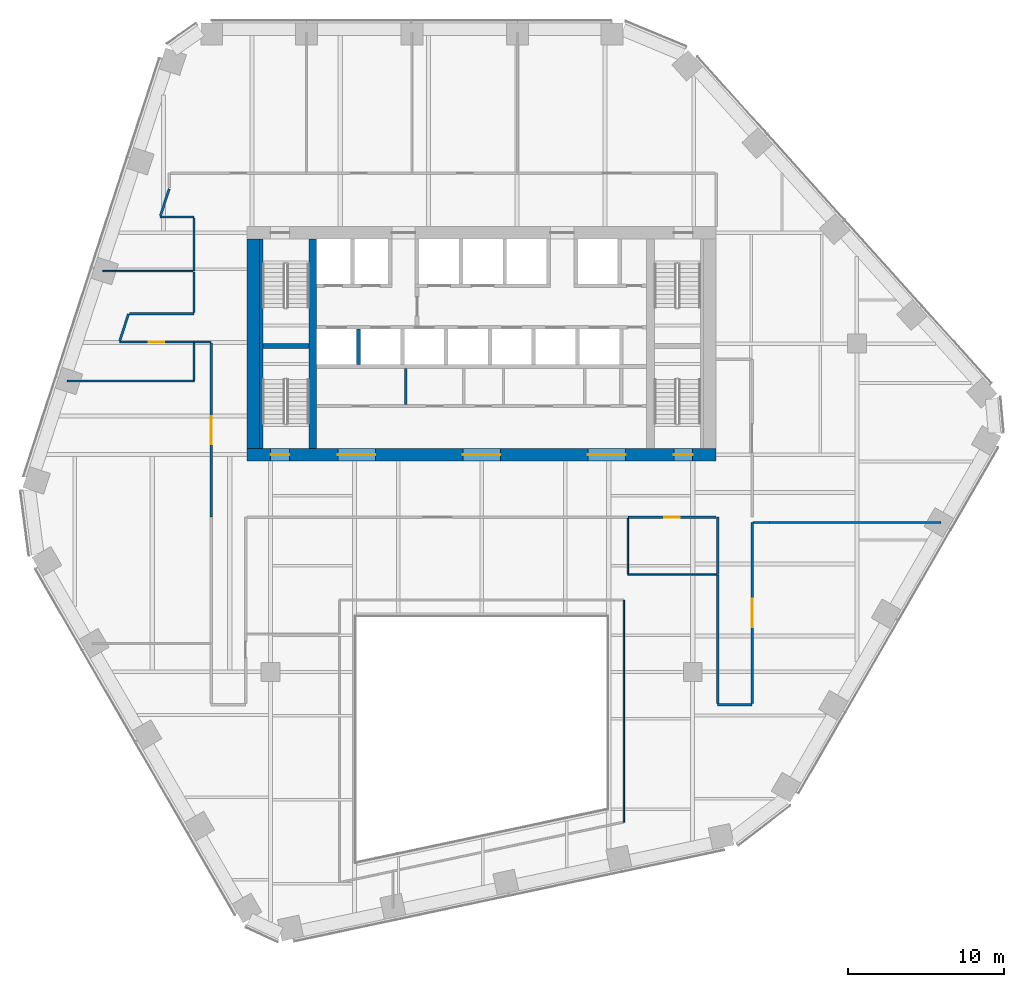
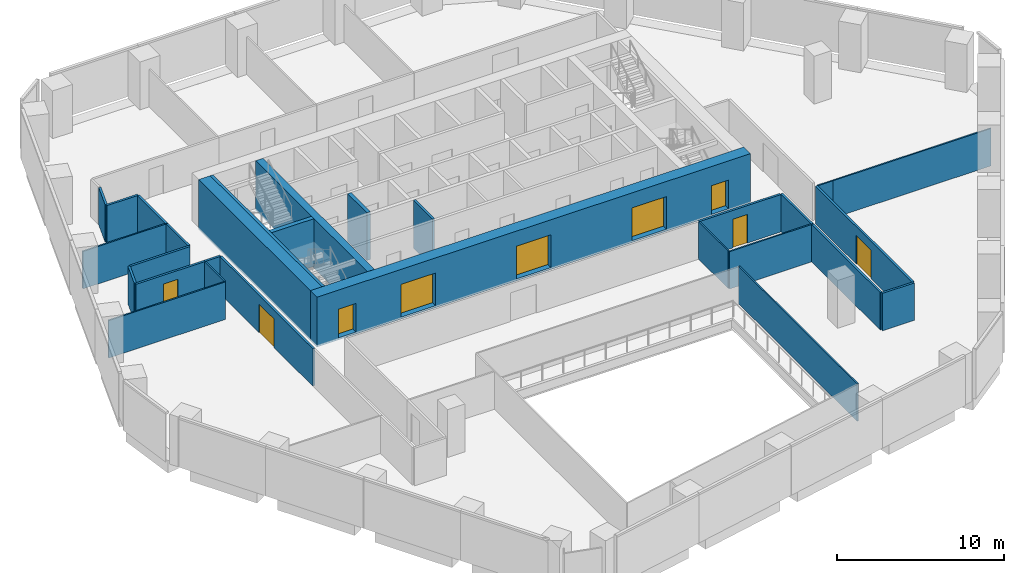
# One storey, part 11 of 16: 29 walls, 9 doors, 9 openings.
"""IFC4 building model written with IfcOpenShell, lengths in metres."""

import ifcopenshell
import ifcopenshell.guid

model = None  # the IFC model being written
_history = None  # IfcOwnerHistory: only IFC2X3 demands one
_inside = {}  # id of a spatial element -> (the spatial element, [elements in it])
_under = {}  # id of a project, library or spatial element -> (it, [spatial elements below it])
_declared = {}  # id of a project -> (the project, [libraries it declares])
_typed = {}  # id of a type object -> (the type object, [elements of that type])
_made_of = {}  # id of a material, layer set ... -> (it, [elements and type objects made of it])


def new_model(schema):
    """Start an empty IFC model of exactly this schema.

    Asked for "IFC4X3", IfcOpenShell would pick the latest addendum, in which some entities
    have other attributes; the version numbers below select the first issue.
    IFC2X3 requires an IfcOwnerHistory on every rooted entity: one is made here for all.
    """
    global model, _history
    if schema == "IFC4X3":
        model = ifcopenshell.file(schema_version=(4, 3, 0, 0))
    else:
        model = ifcopenshell.file(schema=schema)
    _inside.clear()
    _under.clear()
    _declared.clear()
    _typed.clear()
    _made_of.clear()
    _history = None
    if model.schema == "IFC2X3":
        org = make("IfcOrganization", Name="unknown")
        user = make(
            "IfcPersonAndOrganization",
            ThePerson=make("IfcPerson", FamilyName="unknown"),
            TheOrganization=org,
        )
        app = make(
            "IfcApplication",
            ApplicationDeveloper=org,
            Version="unknown",
            ApplicationFullName="unknown",
            ApplicationIdentifier="unknown",
        )
        _history = make(
            "IfcOwnerHistory",
            OwningUser=user,
            OwningApplication=app,
            ChangeAction="ADDED",
            CreationDate=0,
        )
    return model


def make(cls, **values):
    """One entity of the class cls with the attributes given. An attribute that is None is left unset."""
    return model.create_entity(
        cls, **{name: value for name, value in values.items() if value is not None}
    )


def rooted(cls, **values):
    """An entity with a GlobalId (a new one), such as an element, a storey or a relation."""
    return make(cls, GlobalId=ifcopenshell.guid.new(), OwnerHistory=_history, **values)


def si_unit(unit_type, name, prefix=None):
    """IfcSIUnit, for example si_unit("LENGTHUNIT", "METRE", prefix="MILLI")."""
    return make("IfcSIUnit", UnitType=unit_type, Prefix=prefix, Name=name)


def assignment(units):
    """IfcUnitAssignment: the units of a project."""
    return None if units is None else make("IfcUnitAssignment", Units=units)


def point(xyz):
    """IfcCartesianPoint."""
    return None if xyz is None else make("IfcCartesianPoint", Coordinates=xyz)


def direction(xyz):
    """IfcDirection."""
    return None if xyz is None else make("IfcDirection", DirectionRatios=xyz)


def frame(location, z_axis=None, x_axis=None):
    """IfcAxis2Placement3D, a coordinate frame: its origin and axes. An axis left out is left unset."""
    return make(
        "IfcAxis2Placement3D",
        Location=point(location),
        Axis=direction(z_axis),
        RefDirection=direction(x_axis),
    )


def frame_2d(location, x_axis=None):
    """IfcAxis2Placement2D, a coordinate frame in the plane: its origin and x axis."""
    return make(
        "IfcAxis2Placement2D", Location=point(location), RefDirection=direction(x_axis)
    )


def origin():
    """The frame at (0, 0, 0) with its axes left unset."""
    return frame((0.0, 0.0, 0.0))


def place(relative_to, where):
    """IfcLocalPlacement: puts the frame where relative to a parent placement (None: the world)."""
    return make(
        "IfcLocalPlacement", PlacementRelTo=relative_to, RelativePlacement=where
    )


def context(
    kind, dimensions, precision=None, world=None, true_north=None, identifier=None
):
    """IfcGeometricRepresentationContext, for example the 3D "Model" context."""
    return make(
        "IfcGeometricRepresentationContext",
        ContextIdentifier=identifier,
        ContextType=kind,
        CoordinateSpaceDimension=dimensions,
        Precision=precision,
        WorldCoordinateSystem=world,
        TrueNorth=true_north,
    )


def subcontext(parent, identifier, kind, view, scale=None):
    """IfcGeometricRepresentationSubContext, for example "Body" below "Model"."""
    return make(
        "IfcGeometricRepresentationSubContext",
        ContextIdentifier=identifier,
        ContextType=kind,
        ParentContext=parent,
        TargetScale=scale,
        TargetView=view,
    )


def project(units=None, contexts=None):
    """IfcProject with its units and contexts."""
    return rooted(
        "IfcProject",
        Name="project",
        RepresentationContexts=contexts,
        UnitsInContext=assignment(units),
    )


def spatial(cls, under=None, at=None, **own):
    """A site, building, storey or space (cls), placed at a placement, below another one or the project."""
    s = rooted(cls, ObjectPlacement=at, **own)
    if under is not None:
        _under.setdefault(under.id(), (under, []))[1].append(s)
    return s


def profile(cls, at=None, kind="AREA", **sizes):
    """A parametric profile (cls). Its sizes go by their IFC names, for example OverallWidth=200.0."""
    return make(cls, ProfileType=kind, Position=at, **sizes)


def rectangle(**sizes):
    """IfcRectangleProfileDef."""
    return profile("IfcRectangleProfileDef", **sizes)


def extrude(swept, where, along, depth):
    """IfcExtrudedAreaSolid: the profile swept, set in the frame where, extruded along a direction by depth."""
    return make(
        "IfcExtrudedAreaSolid",
        SweptArea=swept,
        Position=where,
        ExtrudedDirection=direction(along),
        Depth=depth,
    )


def shape(context_of_items, identifier, shape_type, items):
    """IfcShapeRepresentation: the items that make up one representation, for example the "Body"."""
    return make(
        "IfcShapeRepresentation",
        ContextOfItems=context_of_items,
        RepresentationIdentifier=identifier,
        RepresentationType=shape_type,
        Items=items,
    )


def material(Name=None, Category=None):
    """IfcMaterial."""
    return make("IfcMaterial", Name=Name, Category=Category)


def layer(
    of_material, thickness, ventilated=None, Name=None, Category=None, Priority=None
):
    """IfcMaterialLayer: one layer of a wall or slab, of a material (None: an air gap)."""
    return make(
        "IfcMaterialLayer",
        Material=of_material,
        LayerThickness=thickness,
        IsVentilated=ventilated,
        Name=Name,
        Category=Category,
        Priority=Priority,
    )


def layer_set(layers, Name=None):
    """IfcMaterialLayerSet."""
    return make("IfcMaterialLayerSet", MaterialLayers=layers, LayerSetName=Name)


def made_of(thing, what):
    """Note that an element or type object is made of a material, layer set ...; save() writes the relation."""
    if what is not None:
        _made_of.setdefault(what.id(), (what, []))[1].append(thing)
    return thing


def type_object(cls, material=None, **own):
    """A type object (cls), such as IfcWallType, which elements share."""
    return made_of(rooted(cls, **own), material)


def element(
    cls,
    number,
    at=None,
    inside=None,
    cuts=None,
    type_object=None,
    material=None,
    context=None,
    identifier="Body",
    shape_type=None,
    held_by="IfcProductDefinitionShape",
    body=None,
    shapes=None,
    **own,
):
    """One element of the class cls, such as IfcWall. Its Tag is "e" and its number.

    at: its placement. inside: the storey or other place that contains it. cuts: it is an
    opening in that element (IfcRelVoidsElement). A single representation is given by context,
    identifier, shape_type and body (its items); several are given by shapes. held_by: the class
    of the entity that holds the representations. save() writes the other relations.
    """
    e = rooted(cls, Tag="e%d" % number, ObjectPlacement=at, **own)
    if body is not None:
        shapes = [shape(context, identifier, shape_type, body)]
    if shapes is not None:
        e.Representation = make(held_by, Representations=shapes)
    if inside is not None:
        _inside.setdefault(inside.id(), (inside, []))[1].append(e)
    if cuts is not None:
        rooted(
            "IfcRelVoidsElement", RelatingBuildingElement=cuts, RelatedOpeningElement=e
        )
    if type_object is not None:
        _typed.setdefault(type_object.id(), (type_object, []))[1].append(e)
    return made_of(e, material)


def fill(opening, filler):
    """IfcRelFillsElement: the door or window that sits in an opening."""
    return rooted(
        "IfcRelFillsElement",
        RelatingOpeningElement=opening,
        RelatedBuildingElement=filler,
    )


def aggregate(whole, parts):
    """IfcRelAggregates: a whole, such as a stair, and the parts it consists of."""
    return rooted("IfcRelAggregates", RelatingObject=whole, RelatedObjects=parts)


def save(model, path):
    """Write the relations noted so far, then the file.

    IfcRelAggregates (storeys below a building ...), IfcRelContainedInSpatialStructure (elements
    in a storey), IfcRelDefinesByType, IfcRelAssociatesMaterial and IfcRelDeclares: one each for
    every whole, place, type object, material and project.
    """
    for whole, parts in _under.values():
        aggregate(whole, parts)
    for where, things in _inside.values():
        rooted(
            "IfcRelContainedInSpatialStructure",
            RelatedElements=things,
            RelatingStructure=where,
        )
    for kind, things in _typed.values():
        rooted("IfcRelDefinesByType", RelatedObjects=things, RelatingType=kind)
    for what, things in _made_of.values():
        rooted("IfcRelAssociatesMaterial", RelatedObjects=things, RelatingMaterial=what)
    for by, libraries in _declared.values():
        rooted("IfcRelDeclares", RelatingContext=by, RelatedDefinitions=libraries)
    model.write(path)


model = new_model("IFC4")

# Units and contexts
model_context = context("Model", 3, precision=1e-05, world=origin(), true_north=direction((0.0, 1.0)))
body_context = subcontext(model_context, "Body", "Model", "MODEL_VIEW")
ifc_project = project(units=[si_unit("LENGTHUNIT", "METRE"), si_unit("AREAUNIT", "SQUARE_METRE"), si_unit("VOLUMEUNIT", "CUBIC_METRE"), si_unit("PLANEANGLEUNIT", "RADIAN"), si_unit("MASSUNIT", "GRAM", prefix="KILO")], contexts=[model_context])

# Site, building, storey
site_placement = place(None, origin())
site = spatial("IfcSite", under=ifc_project, at=site_placement, CompositionType="ELEMENT")
building_placement = place(site_placement, origin())
building = spatial("IfcBuilding", under=site, at=building_placement, Name="Isthmus Gate Tower", CompositionType="ELEMENT")
storey_placement = place(building_placement, frame((0.0, 0.0, 148.050048828125)))
storey = spatial("IfcBuildingStorey", under=building, at=storey_placement, Name="L36", CompositionType="ELEMENT", Elevation=148.050048828125)

# Wall
ifc_material_1 = material(Name="Fire-rated laminated glass in steel frame", Category="steel")
ifc_layer_1 = layer(ifc_material_1, 0.10009765625)
ifc_layer_set_1 = layer_set([ifc_layer_1], Name="ATRIUM SCREEN GLAZED WALL 100 120 MIN")
wall_type_1 = type_object("IfcWallType", Name="ATRIUM SCREEN GLAZED WALL 100 120 MIN", PredefinedType="PARTITIONING", material=ifc_layer_set_1)
wall_1_placement = place(storey_placement, frame((9.10009765625, -8.89990234375, 0.0), z_axis=(0.0, 0.0, 1.0), x_axis=(0.0, -1.0, 0.0)))
element("IfcWall", 1, at=wall_1_placement, inside=storey, type_object=wall_type_1, Name="L36 atrium screen", PredefinedType="PARTITIONING", context=body_context, shape_type="SweptSolid", body=[
    extrude(rectangle(XDim=14.200927734375, YDim=0.10009765625, at=frame_2d((7.1005859375, 0.0))), origin(), (0.0, 0.0, 1.0), 2.7412109375),
])

# Wall, opening, door
ifc_material_2 = material(Name="Gypsum board on steel studs, fire-rated", Category="steel")
ifc_layer_2 = layer(ifc_material_2, 0.14990234375)
ifc_layer_set_2 = layer_set([ifc_layer_2], Name="CORRIDOR WALL 150 60 MIN")
wall_type_2 = type_object("IfcWallType", Name="CORRIDOR WALL 150 60 MIN", PredefinedType="PARTITIONING", material=ifc_layer_set_2)
wall_2_placement = place(storey_placement, frame((15.0, -3.60009765625, 0.0), z_axis=(0.0, 0.0, 1.0), x_axis=(-1.0, 0.0, 0.0)))
wall_2 = element("IfcWall", 2, at=wall_2_placement, inside=storey, type_object=wall_type_2, Name="L36 Corridor Wall 150 60 Min", PredefinedType="PARTITIONING", context=body_context, shape_type="SweptSolid", body=[
    extrude(rectangle(XDim=5.64990234375, YDim=0.14990234375, at=frame_2d((2.824951171875, 0.0))), origin(), (0.0, 0.0, 1.0), 2.7412109375),
])
opening_1_placement = place(wall_2_placement, frame((2.324951171875, 0.0, 0.0)))
opening_1 = element("IfcOpeningElement", 3, at=opening_1_placement, cuts=wall_2, Name="Opening DT-T3C-08", PredefinedType="OPENING", context=body_context, shape_type="SweptSolid", body=[
    extrude(rectangle(XDim=1.0, YDim=2.10009765625, at=frame_2d((0.5, 1.050048828125))), frame((0.0, 0.0849609375, 0.0), z_axis=(0.0, -1.0, 0.0), x_axis=(1.0, 0.0, 0.0)), (0.0, 0.0, 1.0), 0.169921875),
])
ifc_material_3 = material(Name="Solid core timber door leaf, fire-rated", Category="wood")
door_type_1 = type_object("IfcDoorType", Name="FIRE DOOR ROOM 1000 X 2100 60 MIN", OperationType="SINGLE_SWING_LEFT", PredefinedType="DOOR", material=ifc_material_3)
door_1_placement = place(opening_1_placement, origin())
door_1 = element("IfcDoor", 4, at=door_1_placement, inside=storey, type_object=door_type_1, Name="L36 room door", OperationType="SINGLE_SWING_RIGHT", OverallHeight=2.10009765625, OverallWidth=1.0, PredefinedType="DOOR", context=body_context, shape_type="SweptSolid", body=[
    extrude(rectangle(XDim=1.0, YDim=2.10009765625, at=frame_2d((0.5, 1.050048828125))), frame((0.0, 0.02490234375, 0.0), z_axis=(0.0, -1.0, 0.0), x_axis=(1.0, 0.0, 0.0)), (0.0, 0.0, 1.0), 0.050048828125),
])
fill(opening_1, door_1)

# Wall
wall_3_placement = place(storey_placement, frame((-18.39990234375, 15.60009765625, 0.0), z_axis=(0.0, 0.0, 1.0), x_axis=(-1.0, 0.0, 0.0)))
element("IfcWall", 5, at=wall_3_placement, inside=storey, type_object=wall_type_2, Name="L36 Corridor Wall 150 60 Min", PredefinedType="PARTITIONING", context=body_context, shape_type="SweptSolid", body=[
    extrude(rectangle(XDim=2.174072265625, YDim=0.14990234375, at=frame_2d((1.0869140625, 0.0))), origin(), (0.0, 0.0, 1.0), 2.7412109375),
])

# Wall, opening, door
wall_4_placement = place(storey_placement, frame((-23.174072265625, 7.60009765625, 0.0), z_axis=(0.0, 0.0, 1.0), x_axis=(1.0, 0.0, 0.0)))
wall_4 = element("IfcWall", 6, at=wall_4_placement, inside=storey, type_object=wall_type_2, Name="L36 Corridor Wall 150 60 Min", PredefinedType="PARTITIONING", context=body_context, shape_type="SweptSolid", body=[
    extrude(rectangle(XDim=4.77197265625, YDim=0.14990234375, at=frame_2d((2.385986328125, 0.0))), origin(), (0.0, 0.0, 1.0), 2.7412109375),
])
opening_2_placement = place(wall_4_placement, frame((1.885986328125, 0.0, 0.0)))
opening_2 = element("IfcOpeningElement", 7, at=opening_2_placement, cuts=wall_4, Name="Opening DT-T3C-06", PredefinedType="OPENING", context=body_context, shape_type="SweptSolid", body=[
    extrude(rectangle(XDim=1.0, YDim=2.10009765625, at=frame_2d((0.5, 1.050048828125))), frame((0.0, 0.0849609375, 0.0), z_axis=(0.0, -1.0, 0.0), x_axis=(1.0, 0.0, 0.0)), (0.0, 0.0, 1.0), 0.169921875),
])
door_2_placement = place(opening_2_placement, origin())
door_2 = element("IfcDoor", 8, at=door_2_placement, inside=storey, type_object=door_type_1, Name="L36 room door", OperationType="SINGLE_SWING_RIGHT", OverallHeight=2.10009765625, OverallWidth=1.0, PredefinedType="DOOR", context=body_context, shape_type="SweptSolid", body=[
    extrude(rectangle(XDim=1.0, YDim=2.10009765625, at=frame_2d((0.5, 1.050048828125))), frame((0.0, 0.02490234375, 0.0), z_axis=(0.0, -1.0, 0.0), x_axis=(1.0, 0.0, 0.0)), (0.0, 0.0, 1.0), 0.050048828125),
])
fill(opening_2, door_2)

# Walls
wall_5_placement = place(storey_placement, frame((-17.298095703125, 7.60205078125, 0.0), z_axis=(0.0, 0.0, 1.0), x_axis=(-1.0, 0.0, 0.0)))
element("IfcWall", 9, at=wall_5_placement, inside=storey, type_object=wall_type_2, Name="L36 Corridor Wall 150 60 Min", PredefinedType="PARTITIONING", context=body_context, shape_type="SweptSolid", body=[
    extrude(rectangle(XDim=1.10400390625, YDim=0.14990234375, at=frame_2d((0.552001953125, 0.0))), origin(), (0.0, 0.0, 1.0), 2.7412109375),
])
wall_6_placement = place(storey_placement, frame((17.300048828125, -15.60009765625, 0.0), z_axis=(0.0, 0.0, 1.0), x_axis=(-1.0, 0.0, 0.0)))
element("IfcWall", 10, at=wall_6_placement, inside=storey, type_object=wall_type_2, Name="L36 Corridor Wall 150 60 Min", PredefinedType="PARTITIONING", context=body_context, shape_type="SweptSolid", body=[
    extrude(rectangle(XDim=2.199951171875, YDim=0.14990234375, at=frame_2d((1.10009765625, 0.0))), origin(), (0.0, 0.0, 1.0), 2.7412109375),
])

# Wall, opening, door
wall_7_placement = place(storey_placement, frame((17.300048828125, -3.93994140625, 0.0), z_axis=(0.0, 0.0, 1.0), x_axis=(0.0, -1.0, 0.0)))
wall_7 = element("IfcWall", 11, at=wall_7_placement, inside=storey, type_object=wall_type_2, Name="L36 Corridor Wall 150 60 Min", PredefinedType="PARTITIONING", context=body_context, shape_type="SweptSolid", body=[
    extrude(rectangle(XDim=11.5849609375, YDim=0.14990234375, at=frame_2d((5.79248046875, 0.0))), origin(), (0.0, 0.0, 1.0), 2.7412109375),
])
opening_3_placement = place(wall_7_placement, frame((4.892578125, 0.0, 0.0)))
opening_3 = element("IfcOpeningElement", 12, at=opening_3_placement, cuts=wall_7, Name="Opening DT-T3C-10", PredefinedType="OPENING", context=body_context, shape_type="SweptSolid", body=[
    extrude(rectangle(XDim=1.800048828125, YDim=2.10009765625, at=frame_2d((0.89990234375, 1.050048828125))), frame((0.0, 0.0849609375, 0.0), z_axis=(0.0, -1.0, 0.0), x_axis=(1.0, 0.0, 0.0)), (0.0, 0.0, 1.0), 0.169921875),
])
ifc_material_4 = material(Name="Solid core timber door leaf, fire-rated", Category="wood")
door_type_2 = type_object("IfcDoorType", Name="FIRE DOOR ROOM 1800 X 2100 60 MIN", OperationType="DOUBLE_DOOR_DOUBLE_SWING", PredefinedType="DOOR", material=ifc_material_4)
door_3_placement = place(opening_3_placement, origin())
door_3 = element("IfcDoor", 13, at=door_3_placement, inside=storey, type_object=door_type_2, Name="L36 room door", OperationType="DOUBLE_DOOR_DOUBLE_SWING", OverallHeight=2.10009765625, OverallWidth=1.800048828125, PredefinedType="DOOR", context=body_context, shape_type="SweptSolid", body=[
    extrude(rectangle(XDim=1.800048828125, YDim=2.10009765625, at=frame_2d((0.89990234375, 1.050048828125))), frame((0.0, 0.02490234375, 0.0), z_axis=(0.0, -1.0, 0.0), x_axis=(1.0, 0.0, 0.0)), (0.0, 0.0, 1.0), 0.050048828125),
])
fill(opening_3, door_3)

# Walls
wall_8_placement = place(storey_placement, frame((-20.55078125, 15.67138671875, 0.0), z_axis=(0.0, 0.0, 1.0), x_axis=(0.30859997516, 0.951191912987, 0.0)))
element("IfcWall", 14, at=wall_8_placement, inside=storey, type_object=wall_type_2, Name="L36 Corridor Wall 150 60 Min", PredefinedType="PARTITIONING", context=body_context, shape_type="SweptSolid", body=[
    extrude(rectangle(XDim=1.817138671875, YDim=0.14990234375, at=frame_2d((0.90869140625, 0.0))), origin(), (0.0, 0.0, 1.0), 2.7412109375),
])
wall_9_placement = place(storey_placement, frame((-18.39990234375, 12.14111328125, 0.0), z_axis=(0.0, 0.0, 1.0), x_axis=(0.0, 1.0, 0.0)))
element("IfcWall", 15, at=wall_9_placement, inside=storey, type_object=wall_type_2, Name="L36 Corridor Wall 150 60 Min", PredefinedType="PARTITIONING", context=body_context, shape_type="SweptSolid", body=[
    extrude(rectangle(XDim=3.3837890625, YDim=0.14990234375, at=frame_2d((1.69189453125, 0.0))), origin(), (0.0, 0.0, 1.0), 2.7412109375),
])
wall_10_placement = place(storey_placement, frame((-23.15087890625, 7.67138671875, 0.0), z_axis=(0.0, 0.0, 1.0), x_axis=(0.309086072338, 0.951034068731, 0.0)))
element("IfcWall", 16, at=wall_10_placement, inside=storey, type_object=wall_type_2, Name="L36 Corridor Wall 150 60 Min", PredefinedType="PARTITIONING", context=body_context, shape_type="SweptSolid", body=[
    extrude(rectangle(XDim=1.817626953125, YDim=0.14990234375, at=frame_2d((0.90869140625, 0.0))), origin(), (0.0, 0.0, 1.0), 2.7412109375),
])
wall_11_placement = place(storey_placement, frame((-22.513916015625, 9.39990234375, 0.0), z_axis=(0.0, 0.0, 1.0), x_axis=(1.0, 0.0, 0.0)))
element("IfcWall", 17, at=wall_11_placement, inside=storey, type_object=wall_type_2, Name="L36 Corridor Wall 150 60 Min", PredefinedType="PARTITIONING", context=body_context, shape_type="SweptSolid", body=[
    extrude(rectangle(XDim=4.114013671875, YDim=0.14990234375, at=frame_2d((2.05712890625, 0.0))), origin(), (0.0, 0.0, 1.0), 2.7412109375),
])
wall_12_placement = place(storey_placement, frame((-18.39990234375, 9.47509765625, 0.0), z_axis=(0.0, 0.0, 1.0), x_axis=(0.0, 1.0, 0.0)))
element("IfcWall", 18, at=wall_12_placement, inside=storey, type_object=wall_type_2, Name="L36 Corridor Wall 150 60 Min", PredefinedType="PARTITIONING", context=body_context, shape_type="SweptSolid", body=[
    extrude(rectangle(XDim=2.615966796875, YDim=0.14990234375, at=frame_2d((1.30810546875, 0.0))), origin(), (0.0, 0.0, 1.0), 2.7412109375),
])

# Wall, opening, door
wall_13_placement = place(storey_placement, frame((-17.298095703125, -3.60205078125, 0.0), z_axis=(0.0, 0.0, 1.0), x_axis=(0.0, 1.0, 0.0)))
wall_13 = element("IfcWall", 19, at=wall_13_placement, inside=storey, type_object=wall_type_2, Name="L36 Corridor Wall 150 60 Min", PredefinedType="PARTITIONING", context=body_context, shape_type="SweptSolid", body=[
    extrude(rectangle(XDim=11.129150390625, YDim=0.14990234375, at=frame_2d((5.564453125, 0.0))), origin(), (0.0, 0.0, 1.0), 2.7412109375),
])
opening_4_placement = place(wall_13_placement, frame((4.66455078125, 0.0, 0.0)))
opening_4 = element("IfcOpeningElement", 20, at=opening_4_placement, cuts=wall_13, Name="Opening DT-T3C-07", PredefinedType="OPENING", context=body_context, shape_type="SweptSolid", body=[
    extrude(rectangle(XDim=1.800048828125, YDim=2.10009765625, at=frame_2d((0.89990234375, 1.050048828125))), frame((0.0, 0.0849609375, 0.0), z_axis=(0.0, -1.0, 0.0), x_axis=(1.0, 0.0, 0.0)), (0.0, 0.0, 1.0), 0.169921875),
])
door_4_placement = place(opening_4_placement, origin())
door_4 = element("IfcDoor", 21, at=door_4_placement, inside=storey, type_object=door_type_2, Name="L36 room door", OperationType="DOUBLE_DOOR_DOUBLE_SWING", OverallHeight=2.10009765625, OverallWidth=1.800048828125, PredefinedType="DOOR", context=body_context, shape_type="SweptSolid", body=[
    extrude(rectangle(XDim=1.800048828125, YDim=2.10009765625, at=frame_2d((0.89990234375, 1.050048828125))), frame((0.0, 0.02490234375, 0.0), z_axis=(0.0, -1.0, 0.0), x_axis=(1.0, 0.0, 0.0)), (0.0, 0.0, 1.0), 0.050048828125),
])
fill(opening_4, door_4)

# Walls
wall_14_placement = place(storey_placement, frame((15.10009765625, -7.257080078125, 0.0), z_axis=(0.0, 0.0, 1.0), x_axis=(0.0, 1.0, 0.0)))
element("IfcWall", 22, at=wall_14_placement, inside=storey, type_object=wall_type_2, Name="L36 Corridor Wall 150 60 Min", PredefinedType="PARTITIONING", context=body_context, shape_type="SweptSolid", body=[
    extrude(rectangle(XDim=3.656982421875, YDim=0.14990234375, at=frame_2d((1.82861328125, 0.0))), origin(), (0.0, 0.0, 1.0), 2.7412109375),
])
wall_15_placement = place(storey_placement, frame((15.10009765625, -15.52490234375, 0.0), z_axis=(0.0, 0.0, 1.0), x_axis=(0.0, 1.0, 0.0)))
element("IfcWall", 23, at=wall_15_placement, inside=storey, type_object=wall_type_2, Name="L36 Corridor Wall 150 60 Min", PredefinedType="PARTITIONING", context=body_context, shape_type="SweptSolid", body=[
    extrude(rectangle(XDim=8.218017578125, YDim=0.14990234375, at=frame_2d((4.10888671875, 0.0))), origin(), (0.0, 0.0, 1.0), 2.7412109375),
])
ifc_material_5 = material(Name="Concrete f'c 60 MPa", Category="concrete")
ifc_layer_3 = layer(ifc_material_5, 0.5)
ifc_layer_set_3 = layer_set([ifc_layer_3], Name="RC CORE SPINE WALL 500 F'C 60")
wall_type_3 = type_object("IfcWallType", Name="RC CORE SPINE WALL 500 F'C 60", PredefinedType="SOLIDWALL", material=ifc_layer_set_3)
wall_16_placement = place(storey_placement, frame((-10.800048828125, 0.800048828125, -0.150146484375), z_axis=(0.0, 0.0, 1.0), x_axis=(0.0, 1.0, 0.0)))
element("IfcWall", 24, at=wall_16_placement, inside=storey, type_object=wall_type_3, Name="str-corewall-L36-SPW", PredefinedType="SOLIDWALL", context=body_context, shape_type="SweptSolid", body=[
    extrude(rectangle(XDim=13.39990234375, YDim=0.5, at=frame_2d((6.699951171875, 0.0))), origin(), (0.0, 0.0, 1.0), 3.650146484375),
])

# Wall, openings, doors
ifc_material_6 = material(Name="Concrete f'c 60 MPa", Category="concrete")
ifc_layer_4 = layer(ifc_material_6, 0.800048828125)
ifc_layer_set_4 = layer_set([ifc_layer_4], Name="RC CORE WALL 800 F'C 60")
wall_type_4 = type_object("IfcWallType", Name="RC CORE WALL 800 F'C 60", PredefinedType="SOLIDWALL", material=ifc_layer_set_4)
wall_17_placement = place(storey_placement, frame((-15.0, 0.39990234375, -0.150146484375), z_axis=(0.0, 0.0, 1.0), x_axis=(1.0, 0.0, 0.0)))
wall_17 = element("IfcWall", 25, at=wall_17_placement, inside=storey, type_object=wall_type_4, Name="str-corewall-L36-S", PredefinedType="SOLIDWALL", context=body_context, shape_type="SweptSolid", body=[
    extrude(rectangle(XDim=30.0, YDim=0.800048828125, at=frame_2d((15.0, 0.0))), origin(), (0.0, 0.0, 1.0), 3.650146484375),
])
opening_5_placement = place(wall_17_placement, frame((5.800048828125, 0.0, 0.14990234375)))
opening_5 = element("IfcOpeningElement", 26, at=opening_5_placement, cuts=wall_17, Name="Opening DC-A11-10", PredefinedType="OPENING", context=body_context, shape_type="SweptSolid", body=[
    extrude(rectangle(XDim=2.39990234375, YDim=2.39990234375, at=frame_2d((1.199951171875, 1.199951171875))), frame((0.0, 0.409912109375, 0.0), z_axis=(0.0, -1.0, 0.0), x_axis=(1.0, 0.0, 0.0)), (0.0, 0.0, 1.0), 0.820068359375),
])
opening_6_placement = place(wall_17_placement, frame((13.800048828125, 0.0, 0.14990234375)))
opening_6 = element("IfcOpeningElement", 27, at=opening_6_placement, cuts=wall_17, Name="Opening DC-A11-11", PredefinedType="OPENING", context=body_context, shape_type="SweptSolid", body=[
    extrude(rectangle(XDim=2.39990234375, YDim=2.39990234375, at=frame_2d((1.199951171875, 1.199951171875))), frame((0.0, 0.409912109375, 0.0), z_axis=(0.0, -1.0, 0.0), x_axis=(1.0, 0.0, 0.0)), (0.0, 0.0, 1.0), 0.820068359375),
])
opening_7_placement = place(wall_17_placement, frame((21.800048828125, 0.0, 0.14990234375)))
opening_7 = element("IfcOpeningElement", 28, at=opening_7_placement, cuts=wall_17, Name="Opening DC-A11-12", PredefinedType="OPENING", context=body_context, shape_type="SweptSolid", body=[
    extrude(rectangle(XDim=2.39990234375, YDim=2.39990234375, at=frame_2d((1.199951171875, 1.199951171875))), frame((0.0, 0.409912109375, 0.0), z_axis=(0.0, -1.0, 0.0), x_axis=(1.0, 0.0, 0.0)), (0.0, 0.0, 1.0), 0.820068359375),
])
opening_8_placement = place(wall_17_placement, frame((1.5, 0.0, 0.14990234375)))
opening_8 = element("IfcOpeningElement", 29, at=opening_8_placement, cuts=wall_17, Name="Opening DC-A11-17", PredefinedType="OPENING", context=body_context, shape_type="SweptSolid", body=[
    extrude(rectangle(XDim=1.199951171875, YDim=2.10009765625, at=frame_2d((0.60009765625, 1.050048828125))), frame((0.0, 0.409912109375, 0.0), z_axis=(0.0, -1.0, 0.0), x_axis=(1.0, 0.0, 0.0)), (0.0, 0.0, 1.0), 0.820068359375),
])
opening_9_placement = place(wall_17_placement, frame((27.300048828125, 0.0, 0.14990234375)))
opening_9 = element("IfcOpeningElement", 30, at=opening_9_placement, cuts=wall_17, Name="Opening DC-A11-18", PredefinedType="OPENING", context=body_context, shape_type="SweptSolid", body=[
    extrude(rectangle(XDim=1.199951171875, YDim=2.10009765625, at=frame_2d((0.60009765625, 1.050048828125))), frame((0.0, 0.409912109375, 0.0), z_axis=(0.0, -1.0, 0.0), x_axis=(1.0, 0.0, 0.0)), (0.0, 0.0, 1.0), 0.820068359375),
])
ifc_material_7 = material(Name="Laminated safety glass in steel frame, fire-rated", Category="steel")
door_type_3 = type_object("IfcDoorType", Name="LOBBY ENTRANCE FIRE DOOR 2400 X 2400 60 MIN", OperationType="DOUBLE_DOOR_DOUBLE_SWING", PredefinedType="DOOR", material=ifc_material_7)
door_5_placement = place(opening_5_placement, origin())
door_5 = element("IfcDoor", 31, at=door_5_placement, inside=storey, type_object=door_type_3, Name="Lobby Entrance PS-W", OperationType="DOUBLE_DOOR_DOUBLE_SWING", OverallHeight=2.39990234375, OverallWidth=2.39990234375, PredefinedType="DOOR", context=body_context, shape_type="SweptSolid", body=[
    extrude(rectangle(XDim=2.39990234375, YDim=2.39990234375, at=frame_2d((1.199951171875, 1.199951171875))), frame((0.0, 0.02490234375, 0.0), z_axis=(0.0, -1.0, 0.0), x_axis=(1.0, 0.0, 0.0)), (0.0, 0.0, 1.0), 0.050048828125),
])
fill(opening_5, door_5)
door_6_placement = place(opening_6_placement, origin())
door_6 = element("IfcDoor", 32, at=door_6_placement, inside=storey, type_object=door_type_3, Name="Lobby Entrance PS-C", OperationType="DOUBLE_DOOR_DOUBLE_SWING", OverallHeight=2.39990234375, OverallWidth=2.39990234375, PredefinedType="DOOR", context=body_context, shape_type="SweptSolid", body=[
    extrude(rectangle(XDim=2.39990234375, YDim=2.39990234375, at=frame_2d((1.199951171875, 1.199951171875))), frame((0.0, 0.02490234375, 0.0), z_axis=(0.0, -1.0, 0.0), x_axis=(1.0, 0.0, 0.0)), (0.0, 0.0, 1.0), 0.050048828125),
])
fill(opening_6, door_6)
door_7_placement = place(opening_7_placement, origin())
door_7 = element("IfcDoor", 33, at=door_7_placement, inside=storey, type_object=door_type_3, Name="Lobby Entrance PS-E", OperationType="DOUBLE_DOOR_DOUBLE_SWING", OverallHeight=2.39990234375, OverallWidth=2.39990234375, PredefinedType="DOOR", context=body_context, shape_type="SweptSolid", body=[
    extrude(rectangle(XDim=2.39990234375, YDim=2.39990234375, at=frame_2d((1.199951171875, 1.199951171875))), frame((0.0, 0.02490234375, 0.0), z_axis=(0.0, -1.0, 0.0), x_axis=(1.0, 0.0, 0.0)), (0.0, 0.0, 1.0), 0.050048828125),
])
fill(opening_7, door_7)
ifc_material_8 = material(Name="Steel door leaf, fire-rated", Category="steel")
door_type_4 = type_object("IfcDoorType", Name="STAIR FIRE DOOR 1200 X 2100 90 MIN", OperationType="SINGLE_SWING_LEFT", PredefinedType="DOOR", material=ifc_material_8)
door_8_placement = place(opening_8_placement, origin())
door_8 = element("IfcDoor", 34, at=door_8_placement, inside=storey, type_object=door_type_4, Name="Exit Stair 7 Door", OperationType="SINGLE_SWING_LEFT", OverallHeight=2.10009765625, OverallWidth=1.199951171875, PredefinedType="DOOR", context=body_context, shape_type="SweptSolid", body=[
    extrude(rectangle(XDim=1.199951171875, YDim=2.10009765625, at=frame_2d((0.60009765625, 1.050048828125))), frame((0.0, 0.02490234375, 0.0), z_axis=(0.0, -1.0, 0.0), x_axis=(1.0, 0.0, 0.0)), (0.0, 0.0, 1.0), 0.050048828125),
])
fill(opening_8, door_8)
door_9_placement = place(opening_9_placement, origin())
door_9 = element("IfcDoor", 35, at=door_9_placement, inside=storey, type_object=door_type_4, Name="Exit Stair 8 Door", OperationType="SINGLE_SWING_RIGHT", OverallHeight=2.10009765625, OverallWidth=1.199951171875, PredefinedType="DOOR", context=body_context, shape_type="SweptSolid", body=[
    extrude(rectangle(XDim=1.199951171875, YDim=2.10009765625, at=frame_2d((0.60009765625, 1.050048828125))), frame((0.0, 0.02490234375, 0.0), z_axis=(0.0, -1.0, 0.0), x_axis=(1.0, 0.0, 0.0)), (0.0, 0.0, 1.0), 0.050048828125),
])
fill(opening_9, door_9)

# Walls
wall_18_placement = place(storey_placement, frame((-14.60009765625, 0.800048828125, -0.150146484375), z_axis=(0.0, 0.0, 1.0), x_axis=(0.0, 1.0, 0.0)))
element("IfcWall", 36, at=wall_18_placement, inside=storey, type_object=wall_type_4, Name="str-corewall-L36-W", PredefinedType="SOLIDWALL", context=body_context, shape_type="SweptSolid", body=[
    extrude(rectangle(XDim=13.39990234375, YDim=0.800048828125, at=frame_2d((6.699951171875, 0.0))), origin(), (0.0, 0.0, 1.0), 3.650146484375),
])
ifc_material_9 = material(Name="Gypsum board on steel studs, fire-rated", Category="steel")
ifc_layer_5 = layer(ifc_material_9, 0.10009765625)
ifc_layer_set_5 = layer_set([ifc_layer_5], Name="ROOM PARTITION 100 30 MIN")
wall_type_5 = type_object("IfcWallType", Name="ROOM PARTITION 100 30 MIN", PredefinedType="PARTITIONING", material=ifc_layer_set_5)
wall_19_placement = place(storey_placement, frame((-24.221923828125, 12.14111328125, 0.0), z_axis=(0.0, 0.0, 1.0), x_axis=(1.0, 0.0, 0.0)))
element("IfcWall", 37, at=wall_19_placement, inside=storey, type_object=wall_type_5, Name="L36 Room Partition 100 30 Min", PredefinedType="PARTITIONING", context=body_context, shape_type="SweptSolid", body=[
    extrude(rectangle(XDim=5.746826171875, YDim=0.10009765625, at=frame_2d((2.87353515625, 0.0))), origin(), (0.0, 0.0, 1.0), 2.7412109375),
])
wall_20_placement = place(storey_placement, frame((18.403076171875, -3.94189453125, 0.0), z_axis=(0.0, 0.0, 1.0), x_axis=(-0.999998618361, 0.001662310693, 0.0)))
element("IfcWall", 38, at=wall_20_placement, inside=storey, type_object=wall_type_5, Name="L36 Room Partition 100 30 Min", PredefinedType="PARTITIONING", context=body_context, shape_type="SweptSolid", body=[
    extrude(rectangle(XDim=1.028076171875, YDim=0.10009765625, at=frame_2d((0.51416015625, 0.0))), origin(), (0.0, 0.0, 1.0), 2.7412109375),
])
wall_21_placement = place(storey_placement, frame((18.403076171875, -3.93994140625, 0.0), z_axis=(0.0, 0.0, 1.0), x_axis=(1.0, 0.0, 0.0)))
element("IfcWall", 39, at=wall_21_placement, inside=storey, type_object=wall_type_5, Name="L36 Room Partition 100 30 Min", PredefinedType="PARTITIONING", context=body_context, shape_type="SweptSolid", body=[
    extrude(rectangle(XDim=10.9609375, YDim=0.10009765625, at=frame_2d((5.48046875, 0.0))), origin(), (0.0, 0.0, 1.0), 2.7412109375),
])
wall_22_placement = place(storey_placement, frame((-26.506103515625, 5.111083984375, 0.0), z_axis=(0.0, 0.0, 1.0), x_axis=(1.0, 0.0, 0.0)))
element("IfcWall", 40, at=wall_22_placement, inside=storey, type_object=wall_type_5, Name="L36 Room Partition 100 30 Min", PredefinedType="PARTITIONING", context=body_context, shape_type="SweptSolid", body=[
    extrude(rectangle(XDim=8.106201171875, YDim=0.10009765625, at=frame_2d((4.05322265625, 0.0))), origin(), (0.0, 0.0, 1.0), 2.7412109375),
])
wall_23_placement = place(storey_placement, frame((-18.40185546875, 7.52490234375, 0.0), z_axis=(0.0, 0.0, 1.0), x_axis=(0.000826189948, -0.999999658705, 0.0)))
element("IfcWall", 41, at=wall_23_placement, inside=storey, type_object=wall_type_5, Name="L36 Room Partition 100 30 Min", PredefinedType="PARTITIONING", context=body_context, shape_type="SweptSolid", body=[
    extrude(rectangle(XDim=2.364013671875, YDim=0.10009765625, at=frame_2d((1.18212890625, 0.0))), origin(), (0.0, 0.0, 1.0), 2.7412109375),
])
wall_24_placement = place(storey_placement, frame((9.35009765625, -7.257080078125, 0.0), z_axis=(0.0, 0.0, 1.0), x_axis=(1.0, 0.0, 0.0)))
element("IfcWall", 42, at=wall_24_placement, inside=storey, type_object=wall_type_5, Name="L36 Room Partition 100 30 Min", PredefinedType="PARTITIONING", context=body_context, shape_type="SweptSolid", body=[
    extrude(rectangle(XDim=5.6748046875, YDim=0.10009765625, at=frame_2d((2.83740234375, 0.0))), origin(), (0.0, 0.0, 1.0), 2.7412109375),
])
wall_25_placement = place(storey_placement, frame((9.35009765625, -7.20703125, 0.0), z_axis=(0.0, 0.0, 1.0), x_axis=(0.0, 1.0, 0.0)))
element("IfcWall", 43, at=wall_25_placement, inside=storey, type_object=wall_type_5, Name="L36 Room Partition 100 30 Min", PredefinedType="PARTITIONING", context=body_context, shape_type="SweptSolid", body=[
    extrude(rectangle(XDim=3.531982421875, YDim=0.10009765625, at=frame_2d((1.76611328125, 0.0))), origin(), (0.0, 0.0, 1.0), 2.7412109375),
])
ifc_material_10 = material(Name="Gypsum board on steel studs, fire-rated", Category="steel")
ifc_layer_6 = layer(ifc_material_10, 0.14990234375)
ifc_layer_set_6 = layer_set([ifc_layer_6], Name="ROOM PARTITION 150 60 MIN")
wall_type_6 = type_object("IfcWallType", Name="ROOM PARTITION 150 60 MIN", PredefinedType="PARTITIONING", material=ifc_layer_set_6)
wall_26_placement = place(storey_placement, frame((-4.85009765625, 3.60009765625, 0.0), z_axis=(0.0, 0.0, 1.0), x_axis=(0.0, 1.0, 0.0)))
element("IfcWall", 44, at=wall_26_placement, inside=storey, type_object=wall_type_6, Name="L36 ROOM PARTITION 150 60 MIN", PredefinedType="PARTITIONING", context=body_context, shape_type="SweptSolid", body=[
    extrude(rectangle(XDim=2.2998046875, YDim=0.14990234375, at=frame_2d((1.14990234375, 0.0))), origin(), (0.0, 0.0, 1.0), 3.5),
])
ifc_material_11 = material(Name="Fire-rated blockwork masonry, 15 MPa", Category="masonry")
ifc_layer_7 = layer(ifc_material_11, 0.25)
ifc_layer_set_7 = layer_set([ifc_layer_7], Name="SHAFT WALL 250 120 MIN")
wall_type_7 = type_object("IfcWallType", Name="SHAFT WALL 250 120 MIN", PredefinedType="PARTITIONING", material=ifc_layer_set_7)
wall_27_placement = place(storey_placement, frame((-7.875, 6.14990234375, 0.0), z_axis=(0.0, 0.0, 1.0), x_axis=(0.0, 1.0, 0.0)))
element("IfcWall", 45, at=wall_27_placement, inside=storey, type_object=wall_type_7, Name="L36 SHAFT WALL 250 120 MIN", PredefinedType="PARTITIONING", context=body_context, shape_type="SweptSolid", body=[
    extrude(rectangle(XDim=2.300048828125, YDim=0.25, at=frame_2d((1.14990234375, 0.0))), origin(), (0.0, 0.0, 1.0), 3.5),
])
ifc_material_12 = material(Name="Concrete f'c 40 MPa", Category="concrete")
ifc_layer_8 = layer(ifc_material_12, 0.199951171875)
ifc_layer_set_8 = layer_set([ifc_layer_8], Name="STAIR ENCLOSURE WALL 200 180 MIN")
wall_type_8 = type_object("IfcWallType", Name="STAIR ENCLOSURE WALL 200 180 MIN", PredefinedType="SOLIDWALL", material=ifc_layer_set_8)
wall_28_placement = place(storey_placement, frame((-14.10009765625, 0.800048828125, 0.0), z_axis=(0.0, 0.0, 1.0), x_axis=(0.0, 1.0, 0.0)))
element("IfcWall", 46, at=wall_28_placement, inside=storey, type_object=wall_type_8, Name="L36 STAIR ENCLOSURE WALL 200 180 MIN", PredefinedType="SOLIDWALL", context=body_context, shape_type="SweptSolid", body=[
    extrude(rectangle(XDim=13.39990234375, YDim=0.199951171875, at=frame_2d((6.699951171875, 0.0))), origin(), (0.0, 0.0, 1.0), 3.5),
])
ifc_material_13 = material(Name="Concrete f'c 40 MPa", Category="concrete")
ifc_layer_9 = layer(ifc_material_13, 0.300048828125)
ifc_layer_set_9 = layer_set([ifc_layer_9], Name="STAIR ENCLOSURE WALL 300 180 MIN")
wall_type_9 = type_object("IfcWallType", Name="STAIR ENCLOSURE WALL 300 180 MIN", PredefinedType="SOLIDWALL", material=ifc_layer_set_9)
wall_29_placement = place(storey_placement, frame((-14.0, 7.35009765625, 0.0), z_axis=(0.0, 0.0, 1.0), x_axis=(1.0, 0.0, 0.0)))
element("IfcWall", 47, at=wall_29_placement, inside=storey, type_object=wall_type_9, Name="L36 STAIR ENCLOSURE WALL 300 180 MIN", PredefinedType="SOLIDWALL", context=body_context, shape_type="SweptSolid", body=[
    extrude(rectangle(XDim=2.949951171875, YDim=0.300048828125, at=frame_2d((1.47509765625, 0.0))), origin(), (0.0, 0.0, 1.0), 3.5),
])

save(model, "model.ifc")
